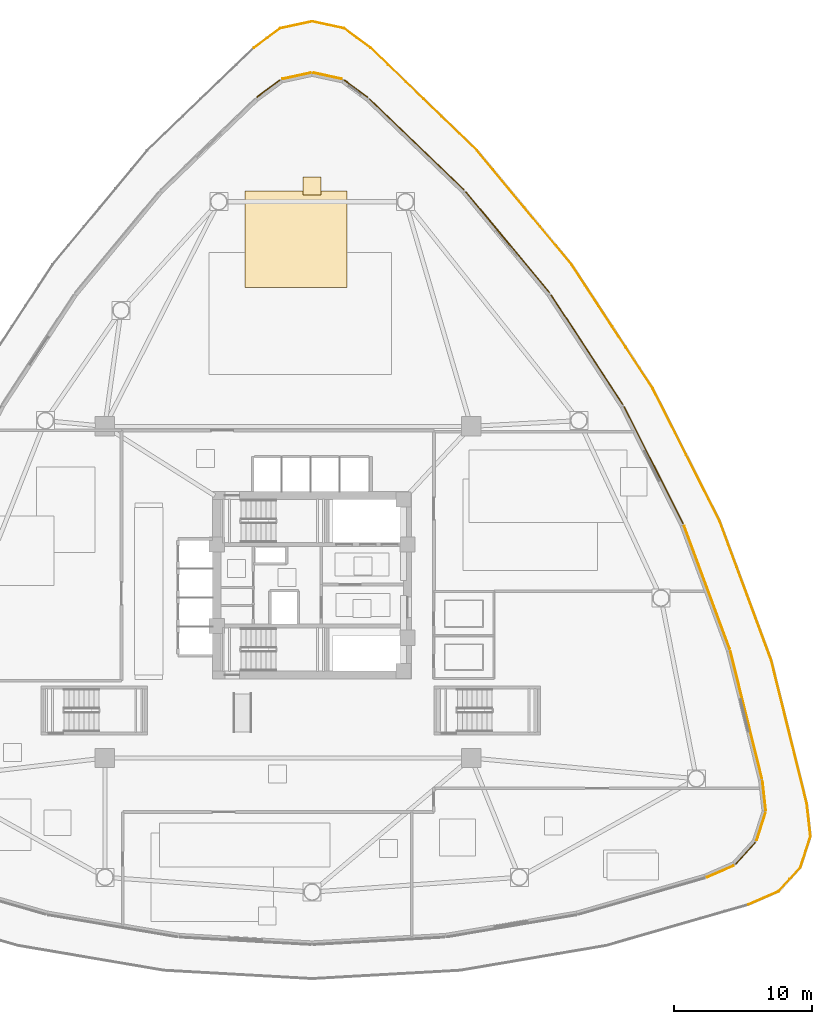
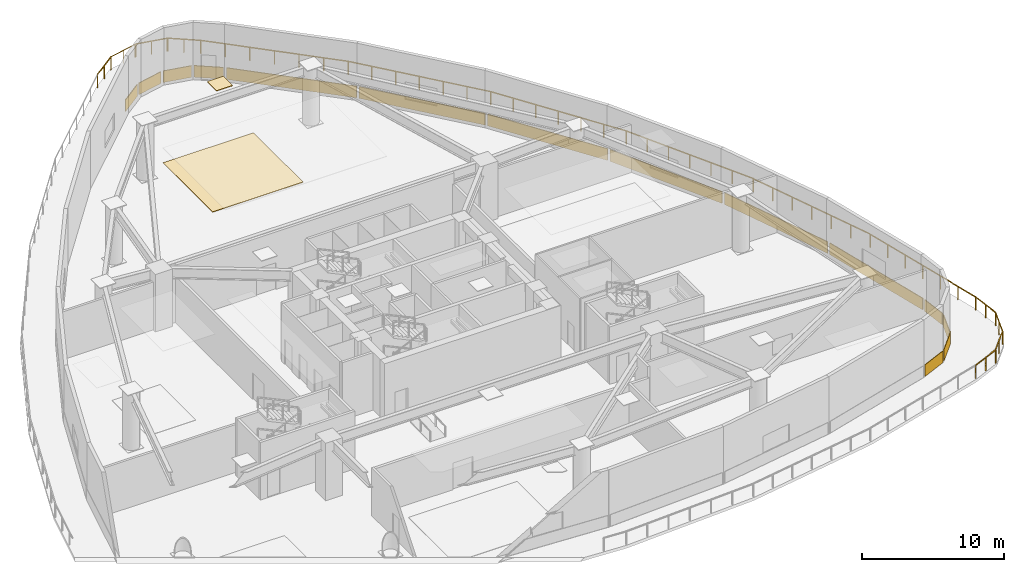
# One storey, part 13 of 13: 16 coverings, 14 railings.
"""IFC4 building model written with IfcOpenShell, lengths in metres."""

from ifc_helpers import new_model, si_unit, direction, frame, origin, origin_2d, place, context, subcontext, project, spatial, polyline, rectangle, outline, extrude, material, layer, layer_set, type_object, element, save


model = new_model("IFC4")

# Units and contexts
model_context = context("Model", 3, precision=1e-05, world=origin(), true_north=direction((0.0, 1.0)))
body_context = subcontext(model_context, "Body", "Model", "MODEL_VIEW")
ifc_project = project(units=[si_unit("LENGTHUNIT", "METRE"), si_unit("AREAUNIT", "SQUARE_METRE"), si_unit("VOLUMEUNIT", "CUBIC_METRE"), si_unit("PLANEANGLEUNIT", "RADIAN"), si_unit("MASSUNIT", "GRAM", prefix="KILO")], contexts=[model_context])

# Site, building, storey
site_placement = place(None, origin())
site = spatial("IfcSite", under=ifc_project, at=site_placement, CompositionType="ELEMENT")
building_placement = place(site_placement, origin())
building = spatial("IfcBuilding", under=site, at=building_placement, Name="Tavelor Broadcast Tower", CompositionType="ELEMENT")
storey_placement = place(building_placement, frame((0.0, 0.0, 16.800048828125)))
storey = spatial("IfcBuildingStorey", under=building, at=storey_placement, Name="L03", CompositionType="ELEMENT", Elevation=16.800048828125)

# Coverings
ifc_material_1 = material(Name="Acoustic Hardwood Studio Flooring", Category="wood")
ifc_layer_1 = layer(ifc_material_1, 0.034912109375)
ifc_layer_set_1 = layer_set([ifc_layer_1], Name="Acoustic Hardwood Studio Flooring")
covering_type_1 = type_object("IfcCoveringType", Name="Isolated Studio Acoustic Elastomeric Floor Finish 35 mm", PredefinedType="FLOORING", material=ifc_layer_set_1)
covering_1_placement = place(storey_placement, origin())
element("IfcCovering", 1, at=covering_1_placement, inside=storey, type_object=covering_type_1, Name="L03 Broadcast Floor Finish 0039", PredefinedType="FLOORING", context=body_context, shape_type="SweptSolid", body=[
    extrude(outline(polyline([(45.158447265625, 66.540771484375), (52.529052734375, 66.540771484375), (52.529052734375, 73.5322265625), (45.158447265625, 73.5322265625), (45.158447265625, 66.540771484375)])), origin(), (0.0, 0.0, 1.0), 0.034912109375),
])
ifc_material_2 = material(Name="Acoustic Perforated Timber Baffle", Category="wood")
ifc_layer_2 = layer(ifc_material_2, 0.054931640625)
ifc_layer_set_2 = layer_set([ifc_layer_2], Name="Acoustic Perforated Timber Baffle")
covering_type_2 = type_object("IfcCoveringType", Name="Micro-Perforated Acoustic Baffle Studio Ceiling 55 mm", PredefinedType="CEILING", material=ifc_layer_set_2)
covering_2_placement = place(storey_placement, frame((0.0, 0.0, 4.89501953125)))
element("IfcCovering", 2, at=covering_2_placement, inside=storey, type_object=covering_type_2, Name="L03 Suspended Acoustic Ceiling 0094", PredefinedType="CEILING", context=body_context, shape_type="SweptSolid", body=[
    extrude(outline(polyline([(49.35009765625, 73.24609375), (50.650146484375, 73.24609375), (50.650146484375, 74.5458984375), (49.35009765625, 74.5458984375), (49.35009765625, 73.24609375)])), origin(), (0.0, 0.0, 1.0), 0.054931640625),
])

# Railings
ifc_material_3 = material(Name="Steel S355", Category="steel")
railing_type = type_object("IfcRailingType", Name="Planted Terrace Laminated Glass Balustrade 1150 mm", PredefinedType="BALUSTRADE", material=ifc_material_3)
railing_1_placement = place(storey_placement, frame((54.21630859375, 83.88916015625, 0.0)))
element("IfcRailing", 3, at=railing_1_placement, inside=storey, type_object=railing_type, Name="L03 Cascading Garden Terrace 1 Balustrade #64", PredefinedType="BALUSTRADE", context=body_context, shape_type="SweptSolid", body=[
    extrude(rectangle(XDim=0.048095703125, YDim=0.048095703125, at=origin_2d()), frame((0.0, 0.0, 1.1259765625), z_axis=(-0.804398108969, 0.594090634742, 0.0), x_axis=(-0.594090634742, -0.804398108969, 0.0)), (0.0, 0.0, 1.0), 2.3994140625),
    extrude(rectangle(XDim=0.0419921875, YDim=0.0419921875, at=origin_2d()), origin(), (0.0, 0.0, 1.0), 1.101806640625),
    extrude(rectangle(XDim=0.0419921875, YDim=0.0419921875, at=origin_2d()), frame((-0.965087890625, 0.712890625, 0.0)), (0.0, 0.0, 1.0), 1.101806640625),
    extrude(rectangle(XDim=0.0419921875, YDim=0.0419921875, at=origin_2d()), frame((-1.93017578125, 1.425537109375, 0.0)), (0.0, 0.0, 1.0), 1.101806640625),
])
railing_2_placement = place(storey_placement, frame((52.32470703125, 85.297119140625, 0.0)))
element("IfcRailing", 4, at=railing_2_placement, inside=storey, type_object=railing_type, Name="L03 Cascading Garden Terrace 1 Balustrade #65", PredefinedType="BALUSTRADE", context=body_context, shape_type="SweptSolid", body=[
    extrude(rectangle(XDim=0.048095703125, YDim=0.048095703125, at=origin_2d()), frame((0.0, 0.0, 1.1259765625), z_axis=(-0.977590479858, 0.21051568514, 0.0), x_axis=(-0.21051568514, -0.977590479858, 0.0)), (0.0, 0.0, 1.0), 2.3994140625),
    extrude(rectangle(XDim=0.0419921875, YDim=0.0419921875, at=origin_2d()), origin(), (0.0, 0.0, 1.0), 1.101806640625),
    extrude(rectangle(XDim=0.0419921875, YDim=0.0419921875, at=origin_2d()), frame((-1.1728515625, 0.25244140625, 0.0)), (0.0, 0.0, 1.0), 1.101806640625),
    extrude(rectangle(XDim=0.0419921875, YDim=0.0419921875, at=origin_2d()), frame((-2.345703125, 0.505126953125, 0.0)), (0.0, 0.0, 1.0), 1.101806640625),
])
railing_3_placement = place(storey_placement, frame((50.02099609375, 85.80224609375, 0.0)))
element("IfcRailing", 5, at=railing_3_placement, inside=storey, type_object=railing_type, Name="L03 Cascading Garden Terrace 1 Balustrade #66", PredefinedType="BALUSTRADE", context=body_context, shape_type="SweptSolid", body=[
    extrude(rectangle(XDim=0.048095703125, YDim=0.048095703125, at=origin_2d()), frame((0.0, 0.0, 1.1259765625), z_axis=(-0.977590479858, -0.21051568514, 0.0), x_axis=(0.21051568514, -0.977590479858, 0.0)), (0.0, 0.0, 1.0), 2.3994140625),
    extrude(rectangle(XDim=0.0419921875, YDim=0.0419921875, at=origin_2d()), origin(), (0.0, 0.0, 1.0), 1.101806640625),
    extrude(rectangle(XDim=0.0419921875, YDim=0.0419921875, at=origin_2d()), frame((-1.1728515625, -0.25244140625, 0.0)), (0.0, 0.0, 1.0), 1.101806640625),
    extrude(rectangle(XDim=0.0419921875, YDim=0.0419921875, at=origin_2d()), frame((-2.345703125, -0.505126953125, 0.0)), (0.0, 0.0, 1.0), 1.101806640625),
])
railing_4_placement = place(storey_placement, frame((47.7138671875, 85.314697265625, 0.0)))
element("IfcRailing", 6, at=railing_4_placement, inside=storey, type_object=railing_type, Name="L03 Cascading Garden Terrace 1 Balustrade #67", PredefinedType="BALUSTRADE", context=body_context, shape_type="SweptSolid", body=[
    extrude(rectangle(XDim=0.048095703125, YDim=0.048095703125, at=origin_2d()), frame((0.0, 0.0, 1.1259765625), z_axis=(-0.804398108969, -0.594090634742, 0.0), x_axis=(0.594090634742, -0.804398108969, 0.0)), (0.0, 0.0, 1.0), 2.3994140625),
    extrude(rectangle(XDim=0.0419921875, YDim=0.0419921875, at=origin_2d()), origin(), (0.0, 0.0, 1.0), 1.101806640625),
    extrude(rectangle(XDim=0.0419921875, YDim=0.0419921875, at=origin_2d()), frame((-0.965087890625, -0.712890625, 0.0)), (0.0, 0.0, 1.0), 1.101806640625),
    extrude(rectangle(XDim=0.0419921875, YDim=0.0419921875, at=origin_2d()), frame((-1.93017578125, -1.425537109375, 0.0)), (0.0, 0.0, 1.0), 1.101806640625),
])
railing_5_placement = place(storey_placement, frame((81.57080078125, 21.904296875, 0.0)))
element("IfcRailing", 7, at=railing_5_placement, inside=storey, type_object=railing_type, Name="L03 Cascading Garden Terrace 1 Balustrade #84", PredefinedType="BALUSTRADE", context=body_context, shape_type="SweptSolid", body=[
    extrude(rectangle(XDim=0.048095703125, YDim=0.048095703125, at=origin_2d()), frame((0.0, 0.0, 1.1259765625), z_axis=(0.91673323432, 0.399499908751, 0.0), x_axis=(-0.399499908751, 0.91673323432, 0.0)), (0.0, 0.0, 1.0), 2.399169921875),
    extrude(rectangle(XDim=0.0419921875, YDim=0.0419921875, at=origin_2d()), origin(), (0.0, 0.0, 1.0), 1.101806640625),
    extrude(rectangle(XDim=0.0419921875, YDim=0.0419921875, at=origin_2d()), frame((1.099609375, 0.479248046875, 0.0)), (0.0, 0.0, 1.0), 1.101806640625),
    extrude(rectangle(XDim=0.0419921875, YDim=0.0419921875, at=origin_2d()), frame((2.199462890625, 0.95849609375, 0.0)), (0.0, 0.0, 1.0), 1.101806640625),
])
railing_6_placement = place(storey_placement, frame((83.736083984375, 22.838134765625, 0.0)))
element("IfcRailing", 8, at=railing_6_placement, inside=storey, type_object=railing_type, Name="L03 Cascading Garden Terrace 1 Balustrade #85", PredefinedType="BALUSTRADE", context=body_context, shape_type="SweptSolid", body=[
    extrude(rectangle(XDim=0.048095703125, YDim=0.048095703125, at=origin_2d()), frame((0.0, 0.0, 1.1259765625), z_axis=(0.671025213282, 0.741434530582, 0.0), x_axis=(-0.741434530582, 0.671025213282, 0.0)), (0.0, 0.0, 1.0), 2.3994140625),
    extrude(rectangle(XDim=0.0419921875, YDim=0.0419921875, at=origin_2d()), origin(), (0.0, 0.0, 1.0), 1.101806640625),
    extrude(rectangle(XDim=0.0419921875, YDim=0.0419921875, at=origin_2d()), frame((0.80517578125, 0.8896484375, 0.0)), (0.0, 0.0, 1.0), 1.101806640625),
    extrude(rectangle(XDim=0.0419921875, YDim=0.0419921875, at=origin_2d()), frame((1.610107421875, 1.779052734375, 0.0)), (0.0, 0.0, 1.0), 1.101806640625),
])
railing_7_placement = place(storey_placement, frame((85.3251953125, 24.580810546875, 0.0)))
element("IfcRailing", 9, at=railing_7_placement, inside=storey, type_object=railing_type, Name="L03 Cascading Garden Terrace 1 Balustrade #86", PredefinedType="BALUSTRADE", context=body_context, shape_type="SweptSolid", body=[
    extrude(rectangle(XDim=0.048095703125, YDim=0.048095703125, at=origin_2d()), frame((0.0, 0.0, 1.1259765625), z_axis=(0.306595433969, 0.951839923448, 0.0), x_axis=(-0.951839923448, 0.306595433969, 0.0)), (0.0, 0.0, 1.0), 2.399169921875),
    extrude(rectangle(XDim=0.0419921875, YDim=0.0419921875, at=origin_2d()), origin(), (0.0, 0.0, 1.0), 1.101806640625),
    extrude(rectangle(XDim=0.0419921875, YDim=0.0419921875, at=origin_2d()), frame((0.36767578125, 1.141845703125, 0.0)), (0.0, 0.0, 1.0), 1.101806640625),
    extrude(rectangle(XDim=0.0419921875, YDim=0.0419921875, at=origin_2d()), frame((0.735595703125, 2.28369140625, 0.0)), (0.0, 0.0, 1.0), 1.101806640625),
])
railing_8_placement = place(storey_placement, frame((86.056396484375, 26.82275390625, 0.0)))
element("IfcRailing", 10, at=railing_8_placement, inside=storey, type_object=railing_type, Name="L03 Cascading Garden Terrace 1 Balustrade #87", PredefinedType="BALUSTRADE", context=body_context, shape_type="SweptSolid", body=[
    extrude(rectangle(XDim=0.048095703125, YDim=0.048095703125, at=origin_2d()), frame((0.0, 0.0, 1.1259765625), z_axis=(-0.112240675783, 0.99368105079, 0.0), x_axis=(-0.99368105079, -0.112240675783, 0.0)), (0.0, 0.0, 1.0), 2.399169921875),
    extrude(rectangle(XDim=0.0419921875, YDim=0.0419921875, at=origin_2d()), origin(), (0.0, 0.0, 1.0), 1.101806640625),
    extrude(rectangle(XDim=0.0419921875, YDim=0.0419921875, at=origin_2d()), frame((-0.134765625, 1.19189453125, 0.0)), (0.0, 0.0, 1.0), 1.101806640625),
    extrude(rectangle(XDim=0.0419921875, YDim=0.0419921875, at=origin_2d()), frame((-0.269287109375, 2.384033203125, 0.0)), (0.0, 0.0, 1.0), 1.101806640625),
])
railing_9_placement = place(storey_placement, frame((85.789306640625, 29.194091796875, 0.0)))
element("IfcRailing", 11, at=railing_9_placement, inside=storey, type_object=railing_type, Name="L03 Cascading Garden Terrace 1 Balustrade #88", PredefinedType="BALUSTRADE", context=body_context, shape_type="SweptSolid", body=[
    extrude(rectangle(XDim=0.048095703125, YDim=0.048095703125, at=origin_2d()), frame((0.0, 0.0, 1.1259765625), z_axis=(-0.240570869006, 0.970631576339, 0.0), x_axis=(-0.970631576339, -0.240570869006, 0.0)), (0.0, 0.0, 1.0), 10.73291015625),
    extrude(rectangle(XDim=0.0419921875, YDim=0.0419921875, at=origin_2d()), origin(), (0.0, 0.0, 1.0), 1.101806640625),
    extrude(rectangle(XDim=0.0419921875, YDim=0.0419921875, at=origin_2d()), frame((-0.430419921875, 1.736328125, 0.0)), (0.0, 0.0, 1.0), 1.101806640625),
    extrude(rectangle(XDim=0.0419921875, YDim=0.0419921875, at=origin_2d()), frame((-0.860595703125, 3.47265625, 0.0)), (0.0, 0.0, 1.0), 1.101806640625),
    extrude(rectangle(XDim=0.0419921875, YDim=0.0419921875, at=origin_2d()), frame((-1.291015625, 5.208984375, 0.0)), (0.0, 0.0, 1.0), 1.101806640625),
    extrude(rectangle(XDim=0.0419921875, YDim=0.0419921875, at=origin_2d()), frame((-1.721435546875, 6.945068359375, 0.0)), (0.0, 0.0, 1.0), 1.101806640625),
    extrude(rectangle(XDim=0.0419921875, YDim=0.0419921875, at=origin_2d()), frame((-2.151611328125, 8.681396484375, 0.0)), (0.0, 0.0, 1.0), 1.101806640625),
    extrude(rectangle(XDim=0.0419921875, YDim=0.0419921875, at=origin_2d()), frame((-2.58203125, 10.417724609375, 0.0)), (0.0, 0.0, 1.0), 1.101806640625),
])
railing_10_placement = place(storey_placement, frame((83.210693359375, 39.601318359375, 0.0)))
element("IfcRailing", 12, at=railing_10_placement, inside=storey, type_object=railing_type, Name="L03 Cascading Garden Terrace 1 Balustrade #89", PredefinedType="BALUSTRADE", context=body_context, shape_type="SweptSolid", body=[
    extrude(rectangle(XDim=0.048095703125, YDim=0.048095703125, at=origin_2d()), frame((0.0, 0.0, 1.1259765625), z_axis=(-0.34779585795, 0.937570286002, 0.0), x_axis=(-0.937570286002, -0.34779585795, 0.0)), (0.0, 0.0, 1.0), 10.733154296875),
    extrude(rectangle(XDim=0.0419921875, YDim=0.0419921875, at=origin_2d()), origin(), (0.0, 0.0, 1.0), 1.101806640625),
    extrude(rectangle(XDim=0.0419921875, YDim=0.0419921875, at=origin_2d()), frame((-0.6220703125, 1.67724609375, 0.0)), (0.0, 0.0, 1.0), 1.101806640625),
    extrude(rectangle(XDim=0.0419921875, YDim=0.0419921875, at=origin_2d()), frame((-1.244384765625, 3.354248046875, 0.0)), (0.0, 0.0, 1.0), 1.101806640625),
    extrude(rectangle(XDim=0.0419921875, YDim=0.0419921875, at=origin_2d()), frame((-1.866455078125, 5.031494140625, 0.0)), (0.0, 0.0, 1.0), 1.101806640625),
    extrude(rectangle(XDim=0.0419921875, YDim=0.0419921875, at=origin_2d()), frame((-2.488525390625, 6.708740234375, 0.0)), (0.0, 0.0, 1.0), 1.101806640625),
    extrude(rectangle(XDim=0.0419921875, YDim=0.0419921875, at=origin_2d()), frame((-3.11083984375, 8.3857421875, 0.0)), (0.0, 0.0, 1.0), 1.101806640625),
    extrude(rectangle(XDim=0.0419921875, YDim=0.0419921875, at=origin_2d()), frame((-3.73291015625, 10.06298828125, 0.0)), (0.0, 0.0, 1.0), 1.101806640625),
])
railing_11_placement = place(storey_placement, frame((79.482177734375, 49.654052734375, 0.0)))
element("IfcRailing", 13, at=railing_11_placement, inside=storey, type_object=railing_type, Name="L03 Cascading Garden Terrace 1 Balustrade #90", PredefinedType="BALUSTRADE", context=body_context, shape_type="SweptSolid", body=[
    extrude(rectangle(XDim=0.048095703125, YDim=0.048095703125, at=origin_2d()), frame((0.0, 0.0, 1.1259765625), z_axis=(-0.450631401505, 0.89271010971, 0.0), x_axis=(-0.89271010971, -0.450631401505, 0.0)), (0.0, 0.0, 1.0), 10.733154296875),
    extrude(rectangle(XDim=0.0419921875, YDim=0.0419921875, at=origin_2d()), origin(), (0.0, 0.0, 1.0), 1.101806640625),
    extrude(rectangle(XDim=0.0419921875, YDim=0.0419921875, at=origin_2d()), frame((-0.80615234375, 1.596923828125, 0.0)), (0.0, 0.0, 1.0), 1.101806640625),
    extrude(rectangle(XDim=0.0419921875, YDim=0.0419921875, at=origin_2d()), frame((-1.6123046875, 3.19384765625, 0.0)), (0.0, 0.0, 1.0), 1.101806640625),
    extrude(rectangle(XDim=0.0419921875, YDim=0.0419921875, at=origin_2d()), frame((-2.41845703125, 4.790771484375, 0.0)), (0.0, 0.0, 1.0), 1.101806640625),
    extrude(rectangle(XDim=0.0419921875, YDim=0.0419921875, at=origin_2d()), frame((-3.224365234375, 6.3876953125, 0.0)), (0.0, 0.0, 1.0), 1.101806640625),
    extrude(rectangle(XDim=0.0419921875, YDim=0.0419921875, at=origin_2d()), frame((-4.030517578125, 7.984619140625, 0.0)), (0.0, 0.0, 1.0), 1.101806640625),
    extrude(rectangle(XDim=0.0419921875, YDim=0.0419921875, at=origin_2d()), frame((-4.836669921875, 9.58154296875, 0.0)), (0.0, 0.0, 1.0), 1.101806640625),
])
railing_12_placement = place(storey_placement, frame((74.651123046875, 59.225830078125, 0.0)))
element("IfcRailing", 14, at=railing_12_placement, inside=storey, type_object=railing_type, Name="L03 Cascading Garden Terrace 1 Balustrade #91", PredefinedType="BALUSTRADE", context=body_context, shape_type="SweptSolid", body=[
    extrude(rectangle(XDim=0.048095703125, YDim=0.048095703125, at=origin_2d()), frame((0.0, 0.0, 1.1259765625), z_axis=(-0.547799587728, 0.83660959335, 0.0), x_axis=(-0.83660959335, -0.547799587728, 0.0)), (0.0, 0.0, 1.0), 10.733154296875),
    extrude(rectangle(XDim=0.0419921875, YDim=0.0419921875, at=origin_2d()), origin(), (0.0, 0.0, 1.0), 1.101806640625),
    extrude(rectangle(XDim=0.0419921875, YDim=0.0419921875, at=origin_2d()), frame((-0.97998046875, 1.49658203125, 0.0)), (0.0, 0.0, 1.0), 1.101806640625),
    extrude(rectangle(XDim=0.0419921875, YDim=0.0419921875, at=origin_2d()), frame((-1.9599609375, 2.9931640625, 0.0)), (0.0, 0.0, 1.0), 1.101806640625),
    extrude(rectangle(XDim=0.0419921875, YDim=0.0419921875, at=origin_2d()), frame((-2.93994140625, 4.48974609375, 0.0)), (0.0, 0.0, 1.0), 1.101806640625),
    extrude(rectangle(XDim=0.0419921875, YDim=0.0419921875, at=origin_2d()), frame((-3.919677734375, 5.986328125, 0.0)), (0.0, 0.0, 1.0), 1.101806640625),
    extrude(rectangle(XDim=0.0419921875, YDim=0.0419921875, at=origin_2d()), frame((-4.899658203125, 7.48291015625, 0.0)), (0.0, 0.0, 1.0), 1.101806640625),
    extrude(rectangle(XDim=0.0419921875, YDim=0.0419921875, at=origin_2d()), frame((-5.879638671875, 8.9794921875, 0.0)), (0.0, 0.0, 1.0), 1.101806640625),
])
railing_13_placement = place(storey_placement, frame((68.7783203125, 68.1962890625, 0.0)))
element("IfcRailing", 15, at=railing_13_placement, inside=storey, type_object=railing_type, Name="L03 Cascading Garden Terrace 1 Balustrade #92", PredefinedType="BALUSTRADE", context=body_context, shape_type="SweptSolid", body=[
    extrude(rectangle(XDim=0.048095703125, YDim=0.048095703125, at=origin_2d()), frame((0.0, 0.0, 1.1259765625), z_axis=(-0.638072196055, 0.769976540306, 0.0), x_axis=(-0.769976540306, -0.638072196055, 0.0)), (0.0, 0.0, 1.0), 10.7333984375),
    extrude(rectangle(XDim=0.0419921875, YDim=0.0419921875, at=origin_2d()), origin(), (0.0, 0.0, 1.0), 1.101806640625),
    extrude(rectangle(XDim=0.0419921875, YDim=0.0419921875, at=origin_2d()), frame((-1.141357421875, 1.37744140625, 0.0)), (0.0, 0.0, 1.0), 1.101806640625),
    extrude(rectangle(XDim=0.0419921875, YDim=0.0419921875, at=origin_2d()), frame((-2.282958984375, 2.7548828125, 0.0)), (0.0, 0.0, 1.0), 1.101806640625),
    extrude(rectangle(XDim=0.0419921875, YDim=0.0419921875, at=origin_2d()), frame((-3.42431640625, 4.13232421875, 0.0)), (0.0, 0.0, 1.0), 1.101806640625),
    extrude(rectangle(XDim=0.0419921875, YDim=0.0419921875, at=origin_2d()), frame((-4.565673828125, 5.509521484375, 0.0)), (0.0, 0.0, 1.0), 1.101806640625),
    extrude(rectangle(XDim=0.0419921875, YDim=0.0419921875, at=origin_2d()), frame((-5.707275390625, 6.886962890625, 0.0)), (0.0, 0.0, 1.0), 1.101806640625),
    extrude(rectangle(XDim=0.0419921875, YDim=0.0419921875, at=origin_2d()), frame((-6.8486328125, 8.264404296875, 0.0)), (0.0, 0.0, 1.0), 1.101806640625),
])
railing_14_placement = place(storey_placement, frame((61.9375, 76.452392578125, 0.0)))
element("IfcRailing", 16, at=railing_14_placement, inside=storey, type_object=railing_type, Name="L03 Cascading Garden Terrace 1 Balustrade #93", PredefinedType="BALUSTRADE", context=body_context, shape_type="SweptSolid", body=[
    extrude(rectangle(XDim=0.048095703125, YDim=0.048095703125, at=origin_2d()), frame((0.0, 0.0, 1.1259765625), z_axis=(-0.720310532032, 0.693651740749, 0.0), x_axis=(-0.693651740749, -0.720310532032, 0.0)), (0.0, 0.0, 1.0), 10.733154296875),
    extrude(rectangle(XDim=0.0419921875, YDim=0.0419921875, at=origin_2d()), origin(), (0.0, 0.0, 1.0), 1.101806640625),
    extrude(rectangle(XDim=0.0419921875, YDim=0.0419921875, at=origin_2d()), frame((-1.28857421875, 1.24072265625, 0.0)), (0.0, 0.0, 1.0), 1.101806640625),
    extrude(rectangle(XDim=0.0419921875, YDim=0.0419921875, at=origin_2d()), frame((-2.5771484375, 2.481689453125, 0.0)), (0.0, 0.0, 1.0), 1.101806640625),
    extrude(rectangle(XDim=0.0419921875, YDim=0.0419921875, at=origin_2d()), frame((-3.86572265625, 3.72265625, 0.0)), (0.0, 0.0, 1.0), 1.101806640625),
    extrude(rectangle(XDim=0.0419921875, YDim=0.0419921875, at=origin_2d()), frame((-5.154052734375, 4.96337890625, 0.0)), (0.0, 0.0, 1.0), 1.101806640625),
    extrude(rectangle(XDim=0.0419921875, YDim=0.0419921875, at=origin_2d()), frame((-6.442626953125, 6.2041015625, 0.0)), (0.0, 0.0, 1.0), 1.101806640625),
    extrude(rectangle(XDim=0.0419921875, YDim=0.0419921875, at=origin_2d()), frame((-7.731201171875, 7.445068359375, 0.0)), (0.0, 0.0, 1.0), 1.101806640625),
])

# Coverings
ifc_material_4 = material(Name="Kiln-Fired Glazed Terracotta", Category="masonry")
ifc_layer_3 = layer(ifc_material_4, 0.06494140625)
ifc_layer_set_3 = layer_set([ifc_layer_3], Name="Kiln-Fired Glazed Terracotta")
covering_type_3 = type_object("IfcCoveringType", Name="Ribbed Terracotta Rainscreen Spandrel Cladding 65 mm", PredefinedType="CLADDING", material=ifc_layer_set_3)
covering_3_placement = place(storey_placement, frame((53.165283203125, 80.935546875, 0.050048828125), z_axis=(0.0, 0.0, 1.0), x_axis=(-0.80437563527, 0.594121062902, 0.0)))
element("IfcCovering", 17, at=covering_3_placement, inside=storey, type_object=covering_type_3, Name="L03 Terracotta Spandrel Rainscreen 01", PredefinedType="CLADDING", context=body_context, shape_type="SweptSolid", body=[
    extrude(rectangle(XDim=2.093994140625, YDim=0.06494140625, at=origin_2d()), origin(), (0.0, 0.0, 1.0), 1.0),
])
for number, where, z_axis, x_axis, name in (
    (18, (51.121337890625, 81.8583984375, 0.050048828125), (0.0, 0.0, 1.0), (-0.977599937765, 0.210471759821, 0.0), "L03 Terracotta Spandrel Rainscreen 02"),
    (19, (48.878662109375, 81.8583984375, 0.050048828125), (0.0, 0.0, 1.0), (-0.977599937765, -0.210471759821, 0.0), "L03 Terracotta Spandrel Rainscreen 03"),
):
    element("IfcCovering", number, at=place(storey_placement, frame(where, z_axis=z_axis, x_axis=x_axis)), inside=storey, type_object=covering_type_3, Name=name, PredefinedType="CLADDING", context=body_context, shape_type="SweptSolid", body=[
        extrude(rectangle(XDim=2.09423828125, YDim=0.06494140625, at=origin_2d()), origin(), (0.0, 0.0, 1.0), 1.0),
    ])
covering_4_placement = place(storey_placement, frame((46.834716796875, 80.935546875, 0.050048828125), z_axis=(0.0, 0.0, 1.0), x_axis=(-0.80437563527, -0.594121062902, 0.0)))
element("IfcCovering", 20, at=covering_4_placement, inside=storey, type_object=covering_type_3, Name="L03 Terracotta Spandrel Rainscreen 04", PredefinedType="CLADDING", context=body_context, shape_type="SweptSolid", body=[
    extrude(rectangle(XDim=2.093994140625, YDim=0.06494140625, at=origin_2d()), origin(), (0.0, 0.0, 1.0), 1.0),
])
covering_5_placement = place(storey_placement, frame((79.53857421875, 24.290771484375, 0.050048828125), z_axis=(0.0, 0.0, 1.0), x_axis=(0.916711751032, 0.399549202878, 0.0)))
element("IfcCovering", 21, at=covering_5_placement, inside=storey, type_object=covering_type_3, Name="L03 Terracotta Spandrel Rainscreen 21", PredefinedType="CLADDING", context=body_context, shape_type="SweptSolid", body=[
    extrude(rectangle(XDim=2.09423828125, YDim=0.06494140625, at=origin_2d()), origin(), (0.0, 0.0, 1.0), 1.0),
])
covering_6_placement = place(storey_placement, frame((81.359619140625, 25.599609375, 0.050048828125), z_axis=(0.0, 0.0, 1.0), x_axis=(0.671073859667, 0.741390500932, 0.0)))
element("IfcCovering", 22, at=covering_6_placement, inside=storey, type_object=covering_type_3, Name="L03 Terracotta Spandrel Rainscreen 22", PredefinedType="CLADDING", context=body_context, shape_type="SweptSolid", body=[
    extrude(rectangle(XDim=2.093994140625, YDim=0.06494140625, at=origin_2d()), origin(), (0.0, 0.0, 1.0), 1.0),
])
covering_7_placement = place(storey_placement, frame((82.481201171875, 27.5419921875, 0.050048828125), z_axis=(0.0, 0.0, 1.0), x_axis=(0.306526078098, 0.951862260753, 0.0)))
element("IfcCovering", 23, at=covering_7_placement, inside=storey, type_object=covering_type_3, Name="L03 Terracotta Spandrel Rainscreen 23", PredefinedType="CLADDING", context=body_context, shape_type="SweptSolid", body=[
    extrude(rectangle(XDim=2.09423828125, YDim=0.06494140625, at=origin_2d()), origin(), (0.0, 0.0, 1.0), 1.0),
])
covering_8_placement = place(storey_placement, frame((82.703857421875, 29.7734375, 0.050048828125), z_axis=(0.0, 0.0, 1.0), x_axis=(-0.112336115762, 0.99367026578, 0.0)))
element("IfcCovering", 24, at=covering_8_placement, inside=storey, type_object=covering_type_3, Name="L03 Terracotta Spandrel Rainscreen 24", PredefinedType="CLADDING", context=body_context, shape_type="SweptSolid", body=[
    extrude(rectangle(XDim=2.093994140625, YDim=0.06494140625, at=origin_2d()), origin(), (0.0, 0.0, 1.0), 1.0),
])
for number, where, z_axis, x_axis, name in (
    (25, (81.41162109375, 35.607421875, 0.050048828125), (0.0, 0.0, 1.0), (-0.240566871809, 0.970632567035, 0.0), "L03 Terracotta Spandrel Rainscreen 25"),
    (26, (78.566162109375, 44.836181640625, 0.050048828125), (0.0, 0.0, 1.0), (-0.347753981862, 0.937585819058, 0.0), "L03 Terracotta Spandrel Rainscreen 26"),
    (27, (74.704833984375, 53.687744140625, 0.050048828125), (0.0, 0.0, 1.0), (-0.450565941999, 0.892743150022, 0.0), "L03 Terracotta Spandrel Rainscreen 27"),
    (28, (69.876220703125, 62.051025390625, 0.050048828125), (0.0, 0.0, 1.0), (-0.547855275974, 0.836573126862, 0.0), "L03 Terracotta Spandrel Rainscreen 28"),
    (29, (64.14111328125, 69.821044921875, 0.050048828125), (0.0, 0.0, 1.0), (-0.638096146601, 0.769956692089, 0.0), "L03 Terracotta Spandrel Rainscreen 29"),
    (30, (57.57177734375, 76.8994140625, 0.050048828125), (0.0, 0.0, 1.0), (-0.720309024888, 0.693653305813, 0.0), "L03 Terracotta Spandrel Rainscreen 30"),
):
    element("IfcCovering", number, at=place(storey_placement, frame(where, z_axis=z_axis, x_axis=x_axis)), inside=storey, type_object=covering_type_3, Name=name, PredefinedType="CLADDING", context=body_context, shape_type="SweptSolid", body=[
        extrude(rectangle(XDim=9.472412109375, YDim=0.06494140625, at=origin_2d()), origin(), (0.0, 0.0, 1.0), 1.0),
    ])

save(model, "model.ifc")
